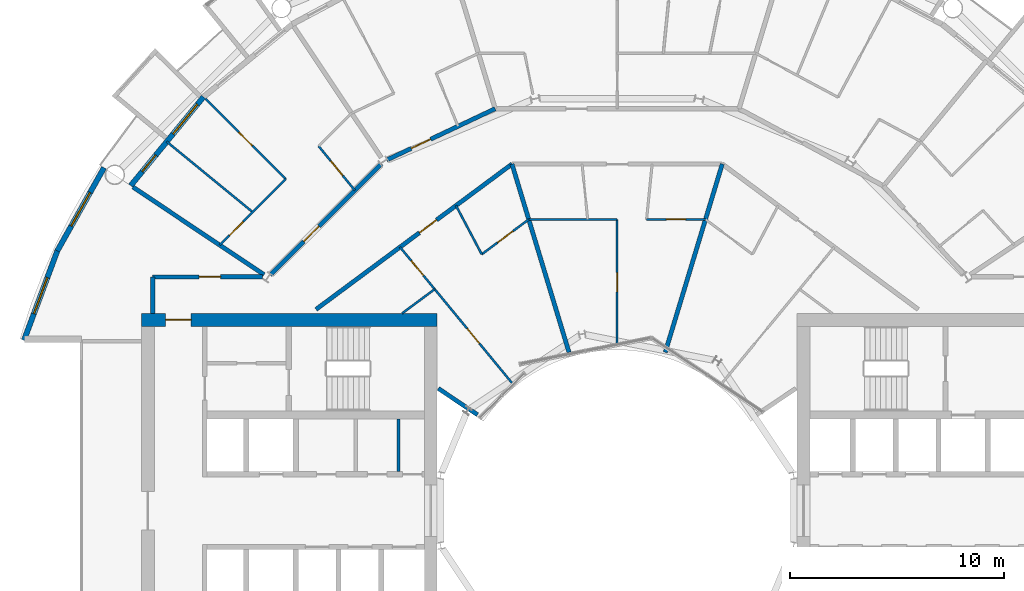
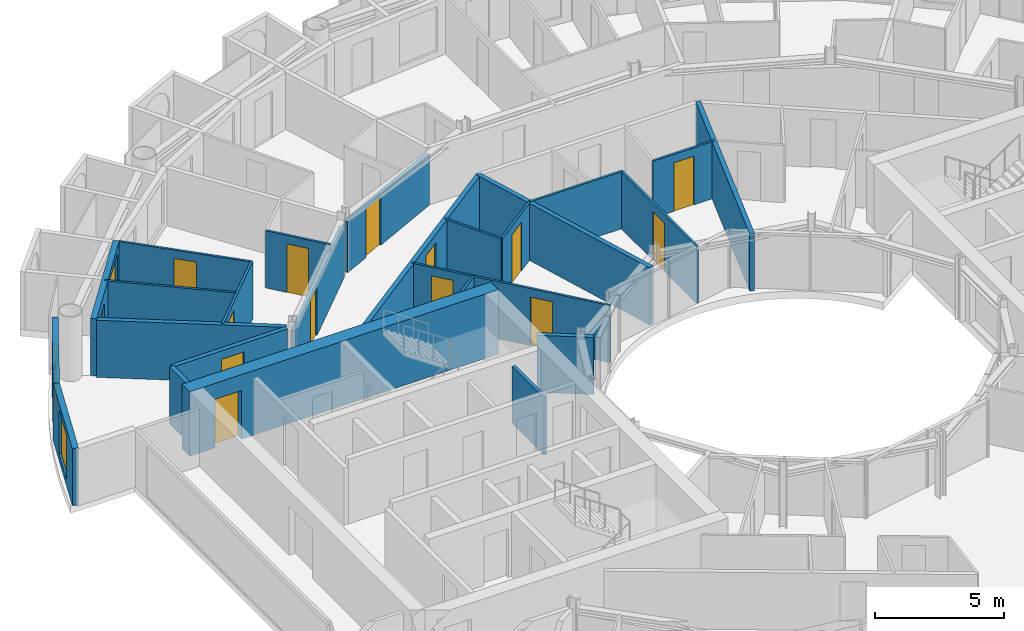
# One storey, part 19 of 27: 25 walls, 14 doors, 3 windows, 17 openings.
"""IFC4 building model written with IfcOpenShell, lengths in metres."""

from ifc_helpers import new_model, si_unit, direction, frame, frame_2d, origin, place, context, subcontext, project, spatial, rectangle, extrude, material, layer, layer_set, type_object, element, fill, save


model = new_model("IFC4")

# Units and contexts
model_context = context("Model", 3, precision=1e-05, world=origin(), true_north=direction((0.0, 1.0)))
body_context = subcontext(model_context, "Body", "Model", "MODEL_VIEW")
ifc_project = project(units=[si_unit("LENGTHUNIT", "METRE"), si_unit("AREAUNIT", "SQUARE_METRE"), si_unit("VOLUMEUNIT", "CUBIC_METRE"), si_unit("PLANEANGLEUNIT", "RADIAN"), si_unit("MASSUNIT", "GRAM", prefix="KILO")], contexts=[model_context])

# Site, building, storey
site_placement = place(None, origin())
site = spatial("IfcSite", under=ifc_project, at=site_placement, CompositionType="ELEMENT")
building_placement = place(site_placement, origin())
building = spatial("IfcBuilding", under=site, at=building_placement, Name="Maasbend Ring Residences", CompositionType="ELEMENT")
storey_placement = place(building_placement, frame((0.0, 0.0, 117.75)))
storey = spatial("IfcBuildingStorey", under=building, at=storey_placement, Name="L33", CompositionType="ELEMENT", Elevation=117.75)

# Wall, opening, door
ifc_material_1 = material(Name="Concrete C60/75", Category="concrete")
ifc_layer_1 = layer(ifc_material_1, 0.60009765625)
ifc_layer_set_1 = layer_set([ifc_layer_1], Name="Concrete C60/75")
wall_type_1 = type_object("IfcWallType", Name="CORE WALL 600 C60/75", PredefinedType="SHEAR", material=ifc_layer_set_1)
wall_1_placement = place(storey_placement, frame((-8.39990234375, 8.89990234375, 0.0), z_axis=(0.0, 0.0, 1.0), x_axis=(-1.0, 0.0, 0.0)))
wall_1 = element("IfcWall", 1, at=wall_1_placement, inside=storey, type_object=wall_type_1, Name="L33 core W wall PS", PredefinedType="SHEAR", context=body_context, shape_type="SweptSolid", body=[
    extrude(rectangle(XDim=13.800048828125, YDim=0.60009765625, at=frame_2d((6.89990234375, 0.0))), origin(), (0.0, 0.0, 1.0), 3.050048828125),
])
opening_1_placement = place(wall_1_placement, frame((11.47509765625, 0.0, 0.0)))
opening_1 = element("IfcOpeningElement", 2, at=opening_1_placement, cuts=wall_1, Name="Opening D-W3315", PredefinedType="OPENING", context=body_context, shape_type="SweptSolid", body=[
    extrude(rectangle(XDim=1.199951171875, YDim=2.300048828125, at=frame_2d((0.60009765625, 1.14990234375))), frame((0.0, 0.31005859375, 0.0), z_axis=(0.0, -1.0, 0.0), x_axis=(1.0, 0.0, 0.0)), (0.0, 0.0, 1.0), 0.6201171875),
])
ifc_material_2 = material(Name="Steel, powder coated", Category="steel")
door_type_1 = type_object("IfcDoorType", Name="CORRIDOR DOOR 1200 X 2300 FD30S", OperationType="NOTDEFINED", PredefinedType="DOOR", material=ifc_material_2)
door_1_placement = place(opening_1_placement, origin())
door_1 = element("IfcDoor", 3, at=door_1_placement, inside=storey, type_object=door_type_1, Name="Corridor door L33", OperationType="SINGLE_SWING_LEFT", OverallHeight=2.300048828125, OverallWidth=1.199951171875, PredefinedType="DOOR", context=body_context, shape_type="SweptSolid", body=[
    extrude(rectangle(XDim=1.199951171875, YDim=2.300048828125, at=frame_2d((0.60009765625, 1.14990234375))), frame((0.0, 0.02490234375, 0.0), z_axis=(0.0, -1.0, 0.0), x_axis=(1.0, 0.0, 0.0)), (0.0, 0.0, 1.0), 0.050048828125),
])
fill(opening_1, door_1)

ifc_material_3 = material(Name="Concrete C30/37", Category="concrete")
ifc_layer_2 = layer(ifc_material_3, 0.199951171875)
ifc_layer_set_2 = layer_set([ifc_layer_2], Name="Concrete C30/37")
wall_type_2 = type_object("IfcWallType", Name="CORRIDOR WALL 200 CONCRETE", PredefinedType="PARTITIONING", material=ifc_layer_set_2)
wall_2_placement = place(storey_placement, frame((-21.675048828125, 10.89990234375, 0.0), z_axis=(0.0, 0.0, 1.0), x_axis=(0.999997173357, 0.002377662213, 0.0)))
wall_2 = element("IfcWall", 4, at=wall_2_placement, inside=storey, type_object=wall_type_2, Name="U-L33-w085", PredefinedType="PARTITIONING", context=body_context, shape_type="SweptSolid", body=[
    extrude(rectangle(XDim=5.134033203125, YDim=0.199951171875, at=frame_2d((2.56689453125, 0.0))), origin(), (0.0, 0.0, 1.0), 2.699951171875),
])
opening_2_placement = place(wall_2_placement, frame((2.1708984375, 0.0, 0.0)))
opening_2 = element("IfcOpeningElement", 5, at=opening_2_placement, cuts=wall_2, Name="Opening D-3363", PredefinedType="OPENING", context=body_context, shape_type="SweptSolid", body=[
    extrude(rectangle(XDim=1.0, YDim=2.300048828125, at=frame_2d((0.5, 1.14990234375))), frame((0.0, 0.10986328125, 0.0), z_axis=(0.0, -1.0, 0.0), x_axis=(1.0, 0.0, 0.0)), (0.0, 0.0, 1.0), 0.219970703125),
])
ifc_material_4 = material(Name="Timber, painted", Category="wood")
door_type_2 = type_object("IfcDoorType", Name="ROOM DOOR 1000 X 2300", OperationType="NOTDEFINED", PredefinedType="DOOR", material=ifc_material_4)
door_2_placement = place(opening_2_placement, origin())
door_2 = element("IfcDoor", 6, at=door_2_placement, inside=storey, type_object=door_type_2, Name="D-3363", OperationType="SINGLE_SWING_RIGHT", OverallHeight=2.300048828125, OverallWidth=1.0, PredefinedType="DOOR", context=body_context, shape_type="SweptSolid", body=[
    extrude(rectangle(XDim=1.0, YDim=2.300048828125, at=frame_2d((0.5, 1.14990234375))), frame((0.0, 0.02490234375, 0.0), z_axis=(0.0, -1.0, 0.0), x_axis=(1.0, 0.0, 0.0)), (0.0, 0.0, 1.0), 0.050048828125),
])
fill(opening_2, door_2)

wall_3_placement = place(storey_placement, frame((-14.052001953125, 9.388916015625, 0.0), z_axis=(0.0, 0.0, 1.0), x_axis=(0.803204584823, 0.59570327758, 0.0)))
wall_3 = element("IfcWall", 7, at=wall_3_placement, inside=storey, type_object=wall_type_2, Name="U-L33-w093", PredefinedType="PARTITIONING", context=body_context, shape_type="SweptSolid", body=[
    extrude(rectangle(XDim=11.386962890625, YDim=0.199951171875, at=frame_2d((5.693359375, 0.0))), origin(), (0.0, 0.0, 1.0), 2.699951171875),
])
opening_3_placement = place(wall_3_placement, frame((6.007080078125, 0.0, 0.0)))
opening_3 = element("IfcOpeningElement", 8, at=opening_3_placement, cuts=wall_3, Name="Opening D-3329", PredefinedType="OPENING", context=body_context, shape_type="SweptSolid", body=[
    extrude(rectangle(XDim=1.0, YDim=2.300048828125, at=frame_2d((0.5, 1.14990234375))), frame((0.0, 0.10986328125, 0.0), z_axis=(0.0, -1.0, 0.0), x_axis=(1.0, 0.0, 0.0)), (0.0, 0.0, 1.0), 0.219970703125),
])
ifc_material_5 = material(Name="Timber, fire-rated, painted", Category="wood")
door_type_3 = type_object("IfcDoorType", Name="FLAT ENTRANCE DOOR 1000 X 2300 FIRE-RATED", OperationType="NOTDEFINED", PredefinedType="DOOR", material=ifc_material_5)
door_3_placement = place(opening_3_placement, origin())
door_3 = element("IfcDoor", 9, at=door_3_placement, inside=storey, type_object=door_type_3, Name="D-3329", OperationType="SINGLE_SWING_RIGHT", OverallHeight=2.300048828125, OverallWidth=1.0, PredefinedType="DOOR", context=body_context, shape_type="SweptSolid", body=[
    extrude(rectangle(XDim=1.0, YDim=2.300048828125, at=frame_2d((0.5, 1.14990234375))), frame((0.0, 0.02490234375, 0.0), z_axis=(0.0, -1.0, 0.0), x_axis=(1.0, 0.0, 0.0)), (0.0, 0.0, 1.0), 0.050048828125),
])
fill(opening_3, door_3)

wall_4_placement = place(storey_placement, frame((-16.18603515625, 11.0, 0.0), z_axis=(0.0, 0.0, 1.0), x_axis=(0.707106781187, 0.707106781187, 0.0)))
wall_4 = element("IfcWall", 10, at=wall_4_placement, inside=storey, type_object=wall_type_2, Name="U-L33-w097", PredefinedType="PARTITIONING", context=body_context, shape_type="SweptSolid", body=[
    extrude(rectangle(XDim=7.334228515625, YDim=0.199951171875, at=frame_2d((3.6669921875, 0.0))), origin(), (0.0, 0.0, 1.0), 2.389892578125),
])
opening_4_placement = place(wall_4_placement, frame((2.2109375, 0.0, 0.0)))
opening_4 = element("IfcOpeningElement", 11, at=opening_4_placement, cuts=wall_4, Name="Opening D-3317", PredefinedType="OPENING", context=body_context, shape_type="SweptSolid", body=[
    extrude(rectangle(XDim=1.0, YDim=2.300048828125, at=frame_2d((0.5, 1.14990234375))), frame((0.0, 0.10986328125, 0.0), z_axis=(0.0, -1.0, 0.0), x_axis=(1.0, 0.0, 0.0)), (0.0, 0.0, 1.0), 0.219970703125),
])
door_4_placement = place(opening_4_placement, origin())
door_4 = element("IfcDoor", 12, at=door_4_placement, inside=storey, type_object=door_type_3, Name="D-3317", OperationType="SINGLE_SWING_LEFT", OverallHeight=2.300048828125, OverallWidth=1.0, PredefinedType="DOOR", context=body_context, shape_type="SweptSolid", body=[
    extrude(rectangle(XDim=1.0, YDim=2.300048828125, at=frame_2d((0.5, 1.14990234375))), frame((0.0, 0.02490234375, 0.0), z_axis=(0.0, -1.0, 0.0), x_axis=(1.0, 0.0, 0.0)), (0.0, 0.0, 1.0), 0.050048828125),
])
fill(opening_4, door_4)

wall_5_placement = place(storey_placement, frame((-10.748046875, 16.362060546875, 0.0), z_axis=(0.0, 0.0, 1.0), x_axis=(0.903869270233, 0.427808768409, 0.0)))
wall_5 = element("IfcWall", 13, at=wall_5_placement, inside=storey, type_object=wall_type_2, Name="U-L33-w099", PredefinedType="PARTITIONING", context=body_context, shape_type="SweptSolid", body=[
    extrude(rectangle(XDim=5.595947265625, YDim=0.199951171875, at=frame_2d((2.7978515625, 0.0))), origin(), (0.0, 0.0, 1.0), 2.389892578125),
])
opening_5_placement = place(wall_5_placement, frame((1.261962890625, 0.0, 0.0)))
opening_5 = element("IfcOpeningElement", 14, at=opening_5_placement, cuts=wall_5, Name="Opening D-3314", PredefinedType="OPENING", context=body_context, shape_type="SweptSolid", body=[
    extrude(rectangle(XDim=1.0, YDim=2.300048828125, at=frame_2d((0.5, 1.14990234375))), frame((0.0, 0.10986328125, 0.0), z_axis=(0.0, -1.0, 0.0), x_axis=(1.0, 0.0, 0.0)), (0.0, 0.0, 1.0), 0.219970703125),
])
door_5_placement = place(opening_5_placement, origin())
door_5 = element("IfcDoor", 15, at=door_5_placement, inside=storey, type_object=door_type_3, Name="D-3314", OperationType="SINGLE_SWING_LEFT", OverallHeight=2.300048828125, OverallWidth=1.0, PredefinedType="DOOR", context=body_context, shape_type="SweptSolid", body=[
    extrude(rectangle(XDim=1.0, YDim=2.300048828125, at=frame_2d((0.5, 1.14990234375))), frame((0.0, 0.02490234375, 0.0), z_axis=(0.0, -1.0, 0.0), x_axis=(1.0, 0.0, 0.0)), (0.0, 0.0, 1.0), 0.050048828125),
])
fill(opening_5, door_5)

# Wall
wall_6_placement = place(storey_placement, frame((-21.675048828125, 9.199951171875, 0.0), z_axis=(0.0, 0.0, 1.0), x_axis=(0.0, 1.0, 0.0)))
element("IfcWall", 16, at=wall_6_placement, inside=storey, type_object=wall_type_2, Name="U-L33-w104", PredefinedType="PARTITIONING", context=body_context, shape_type="SweptSolid", body=[
    extrude(rectangle(XDim=1.699951171875, YDim=0.199951171875, at=frame_2d((0.85009765625, 0.0))), origin(), (0.0, 0.0, 1.0), 2.699951171875),
])

# Wall, openings, door, window
ifc_material_6 = material(Name="Aluminium clad insulated panel", Category="aluminium")
ifc_layer_3 = layer(ifc_material_6, 0.25)
ifc_layer_set_3 = layer_set([ifc_layer_3], Name="EW-GL")
wall_type_3 = type_object("IfcWallType", Name="EW-GL", PredefinedType="SOLIDWALL", material=ifc_layer_set_3)
wall_7_placement = place(storey_placement, frame((-19.303955078125, 19.303955078125, 0.0), z_axis=(0.0, 0.0, 1.0), x_axis=(-0.634382322723, -0.773019449054, 0.0)))
wall_7 = element("IfcWall", 17, at=wall_7_placement, inside=storey, type_object=wall_type_3, Name="External wall N10", PredefinedType="SOLIDWALL", context=body_context, shape_type="SweptSolid", body=[
    extrude(rectangle(XDim=5.351806640625, YDim=0.25, at=frame_2d((2.67578125, 0.0))), origin(), (0.0, 0.0, 1.0), 2.699951171875),
])
opening_6_placement = place(wall_7_placement, frame((0.441162109375, 0.0, 0.300048828125)))
opening_6 = element("IfcOpeningElement", 18, at=opening_6_placement, cuts=wall_7, Name="Opening W-BX", PredefinedType="OPENING", context=body_context, shape_type="SweptSolid", body=[
    extrude(rectangle(XDim=1.800048828125, YDim=2.10009765625, at=frame_2d((0.89990234375, 1.050048828125))), frame((0.0, 0.135009765625, 0.0), z_axis=(0.0, -1.0, 0.0), x_axis=(1.0, 0.0, 0.0)), (0.0, 0.0, 1.0), 0.27001953125),
])
opening_7_placement = place(wall_7_placement, frame((3.510498046875, 0.0, 0.0)))
opening_7 = element("IfcOpeningElement", 19, at=opening_7_placement, cuts=wall_7, Name="Opening D-LG", PredefinedType="OPENING", context=body_context, shape_type="SweptSolid", body=[
    extrude(rectangle(XDim=1.0, YDim=2.199951171875, at=frame_2d((0.5, 1.10009765625))), frame((0.0, 0.135009765625, 0.0), z_axis=(0.0, -1.0, 0.0), x_axis=(1.0, 0.0, 0.0)), (0.0, 0.0, 1.0), 0.27001953125),
])
ifc_material_7 = material(Name="Aluminium and clear glass", Category="aluminium")
door_type_4 = type_object("IfcDoorType", Name="D-LG", OperationType="SINGLE_SWING_LEFT", PredefinedType="DOOR", material=ifc_material_7)
door_6_placement = place(opening_7_placement, origin())
door_6 = element("IfcDoor", 20, at=door_6_placement, inside=storey, type_object=door_type_4, Name="Loggia door N20", OperationType="SINGLE_SWING_LEFT", OverallHeight=2.199951171875, OverallWidth=1.0, PredefinedType="DOOR", context=body_context, shape_type="SweptSolid", body=[
    extrude(rectangle(XDim=1.0, YDim=2.199951171875, at=frame_2d((0.5, 1.10009765625))), frame((0.0, 0.02490234375, 0.0), z_axis=(0.0, -1.0, 0.0), x_axis=(1.0, 0.0, 0.0)), (0.0, 0.0, 1.0), 0.050048828125),
])
fill(opening_7, door_6)
ifc_material_8 = material(Name="Aluminium and clear glass", Category="aluminium")
window_type = type_object("IfcWindowType", Name="W-BX", PartitioningType="DOUBLE_PANEL_VERTICAL", PredefinedType="WINDOW", material=ifc_material_8)
window_1_placement = place(opening_6_placement, origin())
window_1 = element("IfcWindow", 21, at=window_1_placement, inside=storey, type_object=window_type, Name="Window N19 room to box", OverallHeight=2.10009765625, OverallWidth=1.800048828125, PartitioningType="SINGLE_PANEL", PredefinedType="WINDOW", context=body_context, shape_type="SweptSolid", body=[
    extrude(rectangle(XDim=1.800048828125, YDim=2.10009765625, at=frame_2d((0.89990234375, 1.050048828125))), frame((0.0, 0.030029296875, 0.0), z_axis=(0.0, -1.0, 0.0), x_axis=(1.0, 0.0, 0.0)), (0.0, 0.0, 1.0), 0.06005859375),
])
fill(opening_6, window_1)

# Wall, opening, window
ifc_material_9 = material(Name="Aluminium clad insulated panel", Category="aluminium")
ifc_layer_4 = layer(ifc_material_9, 0.25)
ifc_layer_set_4 = layer_set([ifc_layer_4], Name="EW-HORN")
wall_type_4 = type_object("IfcWallType", Name="EW-HORN", PredefinedType="SOLIDWALL", material=ifc_layer_set_4)
wall_8_placement = place(storey_placement, frame((-23.946044921875, 16.0, 0.0), z_axis=(0.0, 0.0, 1.0), x_axis=(-0.489696356642, -0.871893042919, 0.0)))
wall_8 = element("IfcWall", 22, at=wall_8_placement, inside=storey, type_object=wall_type_4, Name="Horn wall 4.1", PredefinedType="SOLIDWALL", context=body_context, shape_type="SweptSolid", body=[
    extrude(rectangle(XDim=4.45361328125, YDim=0.25, at=frame_2d((2.226806640625, 0.0))), origin(), (0.0, 0.0, 1.0), 2.699951171875),
])
opening_8_placement = place(wall_8_placement, frame((1.32666015625, 0.0, 0.300048828125)))
opening_8 = element("IfcOpeningElement", 23, at=opening_8_placement, cuts=wall_8, Name="Opening W-BX", PredefinedType="OPENING", context=body_context, shape_type="SweptSolid", body=[
    extrude(rectangle(XDim=1.800048828125, YDim=2.10009765625, at=frame_2d((0.89990234375, 1.050048828125))), frame((0.0, 0.135009765625, 0.0), z_axis=(0.0, -1.0, 0.0), x_axis=(1.0, 0.0, 0.0)), (0.0, 0.0, 1.0), 0.27001953125),
])
window_2_placement = place(opening_8_placement, origin())
window_2 = element("IfcWindow", 24, at=window_2_placement, inside=storey, type_object=window_type, Name="Horn window 4.1", OverallHeight=2.10009765625, OverallWidth=1.800048828125, PartitioningType="SINGLE_PANEL", PredefinedType="WINDOW", context=body_context, shape_type="SweptSolid", body=[
    extrude(rectangle(XDim=1.800048828125, YDim=2.10009765625, at=frame_2d((0.89990234375, 1.050048828125))), frame((0.0, 0.030029296875, 0.0), z_axis=(0.0, -1.0, 0.0), x_axis=(1.0, 0.0, 0.0)), (0.0, 0.0, 1.0), 0.06005859375),
])
fill(opening_8, window_2)

wall_9_placement = place(storey_placement, frame((-26.126953125, 12.116943359375, 0.0), z_axis=(0.0, 0.0, 1.0), x_axis=(-0.349247811493, -0.937030397675, 0.0)))
wall_9 = element("IfcWall", 25, at=wall_9_placement, inside=storey, type_object=wall_type_4, Name="Horn wall 4.2", PredefinedType="SOLIDWALL", context=body_context, shape_type="SweptSolid", body=[
    extrude(rectangle(XDim=4.4521484375, YDim=0.25, at=frame_2d((2.22607421875, 0.0))), origin(), (0.0, 0.0, 1.0), 2.699951171875),
])
opening_9_placement = place(wall_9_placement, frame((1.32666015625, 0.0, 0.300048828125)))
opening_9 = element("IfcOpeningElement", 26, at=opening_9_placement, cuts=wall_9, Name="Opening W-BX", PredefinedType="OPENING", context=body_context, shape_type="SweptSolid", body=[
    extrude(rectangle(XDim=1.800048828125, YDim=2.10009765625, at=frame_2d((0.89990234375, 1.050048828125))), frame((0.0, 0.135009765625, 0.0), z_axis=(0.0, -1.0, 0.0), x_axis=(1.0, 0.0, 0.0)), (0.0, 0.0, 1.0), 0.27001953125),
])
window_3_placement = place(opening_9_placement, origin())
window_3 = element("IfcWindow", 27, at=window_3_placement, inside=storey, type_object=window_type, Name="Horn window 4.2", OverallHeight=2.10009765625, OverallWidth=1.800048828125, PartitioningType="SINGLE_PANEL", PredefinedType="WINDOW", context=body_context, shape_type="SweptSolid", body=[
    extrude(rectangle(XDim=1.800048828125, YDim=2.10009765625, at=frame_2d((0.89990234375, 1.050048828125))), frame((0.0, 0.030029296875, 0.0), z_axis=(0.0, -1.0, 0.0), x_axis=(1.0, 0.0, 0.0)), (0.0, 0.0, 1.0), 0.06005859375),
])
fill(opening_9, window_3)

# Wall
ifc_material_10 = material(Name="Gypsum board on steel studs", Category="steel")
ifc_layer_5 = layer(ifc_material_10, 0.10009765625)
ifc_layer_set_5 = layer_set([ifc_layer_5], Name="PARTITION 100 GYPSUM")
wall_type_5 = type_object("IfcWallType", Name="PARTITION 100 GYPSUM", PredefinedType="PARTITIONING", material=ifc_layer_set_5)
wall_10_placement = place(storey_placement, frame((-21.02294921875, 17.219970703125, 0.0), z_axis=(0.0, 0.0, 1.0), x_axis=(0.773517471898, -0.633774976367, 0.0)))
element("IfcWall", 28, at=wall_10_placement, inside=storey, type_object=wall_type_5, Name="U-L33-w034", PredefinedType="PARTITIONING", context=body_context, shape_type="SweptSolid", body=[
    extrude(rectangle(XDim=5.19580078125, YDim=0.10009765625, at=frame_2d((2.597900390625, 0.0))), origin(), (0.0, 0.0, 1.0), 2.699951171875),
])

# Wall, opening, door
wall_11_placement = place(storey_placement, frame((-19.216064453125, 19.216064453125, 0.0), z_axis=(0.0, 0.0, 1.0), x_axis=(0.707106781187, -0.707106781187, 0.0)))
wall_11 = element("IfcWall", 29, at=wall_11_placement, inside=storey, type_object=wall_type_5, Name="U-L33-w035", PredefinedType="PARTITIONING", context=body_context, shape_type="SweptSolid", body=[
    extrude(rectangle(XDim=5.3046875, YDim=0.10009765625, at=frame_2d((2.65234375, 0.0))), origin(), (0.0, 0.0, 1.0), 2.699951171875),
])
opening_10_placement = place(wall_11_placement, frame((2.201904296875, 0.0, 0.0)))
opening_10 = element("IfcOpeningElement", 30, at=opening_10_placement, cuts=wall_11, Name="Opening D-3319", PredefinedType="OPENING", context=body_context, shape_type="SweptSolid", body=[
    extrude(rectangle(XDim=0.89990234375, YDim=2.300048828125, at=frame_2d((0.449951171875, 1.14990234375))), frame((0.0, 0.06005859375, 0.0), z_axis=(0.0, -1.0, 0.0), x_axis=(1.0, 0.0, 0.0)), (0.0, 0.0, 1.0), 0.1201171875),
])
ifc_material_11 = material(Name="Timber, painted", Category="wood")
door_type_5 = type_object("IfcDoorType", Name="INTERNAL DOOR 900 X 2300", OperationType="NOTDEFINED", PredefinedType="DOOR", material=ifc_material_11)
door_7_placement = place(opening_10_placement, origin())
door_7 = element("IfcDoor", 31, at=door_7_placement, inside=storey, type_object=door_type_5, Name="D-3319", OperationType="SINGLE_SWING_LEFT", OverallHeight=2.300048828125, OverallWidth=0.89990234375, PredefinedType="DOOR", context=body_context, shape_type="SweptSolid", body=[
    extrude(rectangle(XDim=0.89990234375, YDim=2.300048828125, at=frame_2d((0.449951171875, 1.14990234375))), frame((0.0, 0.02490234375, 0.0), z_axis=(0.0, -1.0, 0.0), x_axis=(1.0, 0.0, 0.0)), (0.0, 0.0, 1.0), 0.050048828125),
])
fill(opening_10, door_7)

wall_12_placement = place(storey_placement, frame((-13.927001953125, 17.00390625, 0.0), z_axis=(0.0, 0.0, 1.0), x_axis=(0.633582447834, -0.77367517848, 0.0)))
wall_12 = element("IfcWall", 32, at=wall_12_placement, inside=storey, type_object=wall_type_5, Name="U-L33-w040", PredefinedType="PARTITIONING", context=body_context, shape_type="SweptSolid", body=[
    extrude(rectangle(XDim=2.6611328125, YDim=0.10009765625, at=frame_2d((1.33056640625, 0.0))), origin(), (0.0, 0.0, 1.0), 2.699951171875),
])
opening_11_placement = place(wall_12_placement, frame((0.881103515625, 0.0, 0.0)))
opening_11 = element("IfcOpeningElement", 33, at=opening_11_placement, cuts=wall_12, Name="Opening D-3318", PredefinedType="OPENING", context=body_context, shape_type="SweptSolid", body=[
    extrude(rectangle(XDim=0.89990234375, YDim=2.300048828125, at=frame_2d((0.449951171875, 1.14990234375))), frame((0.0, 0.06005859375, 0.0), z_axis=(0.0, -1.0, 0.0), x_axis=(1.0, 0.0, 0.0)), (0.0, 0.0, 1.0), 0.1201171875),
])
door_8_placement = place(opening_11_placement, origin())
door_8 = element("IfcDoor", 34, at=door_8_placement, inside=storey, type_object=door_type_5, Name="D-3318", OperationType="SINGLE_SWING_RIGHT", OverallHeight=2.300048828125, OverallWidth=0.89990234375, PredefinedType="DOOR", context=body_context, shape_type="SweptSolid", body=[
    extrude(rectangle(XDim=0.89990234375, YDim=2.300048828125, at=frame_2d((0.449951171875, 1.14990234375))), frame((0.0, 0.02490234375, 0.0), z_axis=(0.0, -1.0, 0.0), x_axis=(1.0, 0.0, 0.0)), (0.0, 0.0, 1.0), 0.050048828125),
])
fill(opening_11, door_8)

# Wall, openings, doors
wall_13_placement = place(storey_placement, frame((-10.132080078125, 12.2958984375, 0.0), z_axis=(0.0, 0.0, 1.0), x_axis=(0.635976043025, -0.771708800454, 0.0)))
wall_13 = element("IfcWall", 35, at=wall_13_placement, inside=storey, type_object=wall_type_5, Name="U-L33-w044", PredefinedType="PARTITIONING", context=body_context, shape_type="SweptSolid", body=[
    extrude(rectangle(XDim=8.212890625, YDim=0.10009765625, at=frame_2d((4.1064453125, 0.0))), origin(), (0.0, 0.0, 1.0), 2.699951171875),
])
opening_12_placement = place(wall_13_placement, frame((0.822998046875, 0.0, 0.0)))
opening_12 = element("IfcOpeningElement", 36, at=opening_12_placement, cuts=wall_13, Name="Opening D-3331", PredefinedType="OPENING", context=body_context, shape_type="SweptSolid", body=[
    extrude(rectangle(XDim=0.89990234375, YDim=2.300048828125, at=frame_2d((0.449951171875, 1.14990234375))), frame((0.0, 0.06005859375, 0.0), z_axis=(0.0, -1.0, 0.0), x_axis=(1.0, 0.0, 0.0)), (0.0, 0.0, 1.0), 0.1201171875),
])
opening_13_placement = place(wall_13_placement, frame((4.928955078125, 0.0, 0.0)))
opening_13 = element("IfcOpeningElement", 37, at=opening_13_placement, cuts=wall_13, Name="Opening D-3332", PredefinedType="OPENING", context=body_context, shape_type="SweptSolid", body=[
    extrude(rectangle(XDim=0.89990234375, YDim=2.300048828125, at=frame_2d((0.449951171875, 1.14990234375))), frame((0.0, 0.06005859375, 0.0), z_axis=(0.0, -1.0, 0.0), x_axis=(1.0, 0.0, 0.0)), (0.0, 0.0, 1.0), 0.1201171875),
])
door_9_placement = place(opening_12_placement, origin())
door_9 = element("IfcDoor", 38, at=door_9_placement, inside=storey, type_object=door_type_5, Name="D-3331", OperationType="SINGLE_SWING_LEFT", OverallHeight=2.300048828125, OverallWidth=0.89990234375, PredefinedType="DOOR", context=body_context, shape_type="SweptSolid", body=[
    extrude(rectangle(XDim=0.89990234375, YDim=2.300048828125, at=frame_2d((0.449951171875, 1.14990234375))), frame((0.0, 0.02490234375, 0.0), z_axis=(0.0, -1.0, 0.0), x_axis=(1.0, 0.0, 0.0)), (0.0, 0.0, 1.0), 0.050048828125),
])
fill(opening_12, door_9)
door_10_placement = place(opening_13_placement, origin())
door_10 = element("IfcDoor", 39, at=door_10_placement, inside=storey, type_object=door_type_5, Name="D-3332", OperationType="SINGLE_SWING_RIGHT", OverallHeight=2.300048828125, OverallWidth=0.89990234375, PredefinedType="DOOR", context=body_context, shape_type="SweptSolid", body=[
    extrude(rectangle(XDim=0.89990234375, YDim=2.300048828125, at=frame_2d((0.449951171875, 1.14990234375))), frame((0.0, 0.02490234375, 0.0), z_axis=(0.0, -1.0, 0.0), x_axis=(1.0, 0.0, 0.0)), (0.0, 0.0, 1.0), 0.050048828125),
])
fill(opening_13, door_10)

# Wall
wall_14_placement = place(storey_placement, frame((-7.51904296875, 14.23388671875, 0.0), z_axis=(0.0, 0.0, 1.0), x_axis=(0.467001992543, -0.884256263173, 0.0)))
element("IfcWall", 40, at=wall_14_placement, inside=storey, type_object=wall_type_5, Name="U-L33-w048", PredefinedType="PARTITIONING", context=body_context, shape_type="SweptSolid", body=[
    extrude(rectangle(XDim=2.571533203125, YDim=0.10009765625, at=frame_2d((1.28564453125, 0.0))), origin(), (0.0, 0.0, 1.0), 2.699951171875),
])

# Wall, opening, door
wall_15_placement = place(storey_placement, frame((0.0, 7.719970703125, 0.0), z_axis=(0.0, 0.0, 1.0), x_axis=(0.0, 1.0, 0.0)))
wall_15 = element("IfcWall", 41, at=wall_15_placement, inside=storey, type_object=wall_type_5, Name="U-L33-w057", PredefinedType="PARTITIONING", context=body_context, shape_type="SweptSolid", body=[
    extrude(rectangle(XDim=5.869140625, YDim=0.10009765625, at=frame_2d((2.9345703125, 0.0))), origin(), (0.0, 0.0, 1.0), 2.699951171875),
])
opening_14_placement = place(wall_15_placement, frame((2.485107421875, 0.0, 0.0)))
opening_14 = element("IfcOpeningElement", 42, at=opening_14_placement, cuts=wall_15, Name="Opening D-3328", PredefinedType="OPENING", context=body_context, shape_type="SweptSolid", body=[
    extrude(rectangle(XDim=0.89990234375, YDim=2.300048828125, at=frame_2d((0.449951171875, 1.14990234375))), frame((0.0, 0.06005859375, 0.0), z_axis=(0.0, -1.0, 0.0), x_axis=(1.0, 0.0, 0.0)), (0.0, 0.0, 1.0), 0.1201171875),
])
door_11_placement = place(opening_14_placement, origin())
door_11 = element("IfcDoor", 43, at=door_11_placement, inside=storey, type_object=door_type_5, Name="D-3328", OperationType="SINGLE_SWING_RIGHT", OverallHeight=2.300048828125, OverallWidth=0.89990234375, PredefinedType="DOOR", context=body_context, shape_type="SweptSolid", body=[
    extrude(rectangle(XDim=0.89990234375, YDim=2.300048828125, at=frame_2d((0.449951171875, 1.14990234375))), frame((0.0, 0.02490234375, 0.0), z_axis=(0.0, -1.0, 0.0), x_axis=(1.0, 0.0, 0.0)), (0.0, 0.0, 1.0), 0.050048828125),
])
fill(opening_14, door_11)

# Wall
wall_16_placement = place(storey_placement, frame((-10.0390625, 9.199951171875, 0.0), z_axis=(0.0, 0.0, 1.0), x_axis=(0.803149591038, 0.595777420196, 0.0)))
element("IfcWall", 44, at=wall_16_placement, inside=storey, type_object=wall_type_5, Name="U-L33-w087", PredefinedType="PARTITIONING", context=body_context, shape_type="SweptSolid", body=[
    extrude(rectangle(XDim=1.900146484375, YDim=0.10009765625, at=frame_2d((0.9501953125, 0.0))), origin(), (0.0, 0.0, 1.0), 2.699951171875),
])

# Wall, opening, door
wall_17_placement = place(storey_placement, frame((-6.318115234375, 11.9599609375, 0.0), z_axis=(0.0, 0.0, 1.0), x_axis=(0.803128348509, 0.595806055542, 0.0)))
wall_17 = element("IfcWall", 45, at=wall_17_placement, inside=storey, type_object=wall_type_5, Name="U-L33-w088", PredefinedType="PARTITIONING", context=body_context, shape_type="SweptSolid", body=[
    extrude(rectangle(XDim=2.734375, YDim=0.10009765625, at=frame_2d((1.3671875, 0.0))), origin(), (0.0, 0.0, 1.0), 2.699951171875),
])
opening_15_placement = place(wall_17_placement, frame((0.9169921875, 0.0, 0.0)))
opening_15 = element("IfcOpeningElement", 46, at=opening_15_placement, cuts=wall_17, Name="Opening D-3330", PredefinedType="OPENING", context=body_context, shape_type="SweptSolid", body=[
    extrude(rectangle(XDim=0.89990234375, YDim=2.300048828125, at=frame_2d((0.449951171875, 1.14990234375))), frame((0.0, 0.06005859375, 0.0), z_axis=(0.0, -1.0, 0.0), x_axis=(1.0, 0.0, 0.0)), (0.0, 0.0, 1.0), 0.1201171875),
])
door_12_placement = place(opening_15_placement, origin())
door_12 = element("IfcDoor", 47, at=door_12_placement, inside=storey, type_object=door_type_5, Name="D-3330", OperationType="SINGLE_SWING_RIGHT", OverallHeight=2.300048828125, OverallWidth=0.89990234375, PredefinedType="DOOR", context=body_context, shape_type="SweptSolid", body=[
    extrude(rectangle(XDim=0.89990234375, YDim=2.300048828125, at=frame_2d((0.449951171875, 1.14990234375))), frame((0.0, 0.02490234375, 0.0), z_axis=(0.0, -1.0, 0.0), x_axis=(1.0, 0.0, 0.0)), (0.0, 0.0, 1.0), 0.050048828125),
])
fill(opening_15, door_12)

# Wall
wall_18_placement = place(storey_placement, frame((-4.1220703125, 13.589111328125, 0.0), z_axis=(0.0, 0.0, 1.0), x_axis=(1.0, 0.0, 0.0)))
element("IfcWall", 48, at=wall_18_placement, inside=storey, type_object=wall_type_5, Name="U-L33-w091", PredefinedType="PARTITIONING", context=body_context, shape_type="SweptSolid", body=[
    extrude(rectangle(XDim=4.1220703125, YDim=0.10009765625, at=frame_2d((2.06103515625, 0.0))), origin(), (0.0, 0.0, 1.0), 2.699951171875),
])

# Wall, opening, door
wall_19_placement = place(storey_placement, frame((1.3740234375, 13.589111328125, 0.0), z_axis=(0.0, 0.0, 1.0), x_axis=(1.0, 0.0, 0.0)))
wall_19 = element("IfcWall", 49, at=wall_19_placement, inside=storey, type_object=wall_type_5, Name="U-L33-w092", PredefinedType="PARTITIONING", context=body_context, shape_type="SweptSolid", body=[
    extrude(rectangle(XDim=2.748046875, YDim=0.10009765625, at=frame_2d((1.3740234375, 0.0))), origin(), (0.0, 0.0, 1.0), 2.699951171875),
])
opening_16_placement = place(wall_19_placement, frame((0.924072265625, 0.0, 0.0)))
opening_16 = element("IfcOpeningElement", 50, at=opening_16_placement, cuts=wall_19, Name="Opening D-3326", PredefinedType="OPENING", context=body_context, shape_type="SweptSolid", body=[
    extrude(rectangle(XDim=0.89990234375, YDim=2.300048828125, at=frame_2d((0.449951171875, 1.14990234375))), frame((0.0, 0.06005859375, 0.0), z_axis=(0.0, -1.0, 0.0), x_axis=(1.0, 0.0, 0.0)), (0.0, 0.0, 1.0), 0.1201171875),
])
door_13_placement = place(opening_16_placement, origin())
door_13 = element("IfcDoor", 51, at=door_13_placement, inside=storey, type_object=door_type_5, Name="D-3326", OperationType="SINGLE_SWING_RIGHT", OverallHeight=2.300048828125, OverallWidth=0.89990234375, PredefinedType="DOOR", context=body_context, shape_type="SweptSolid", body=[
    extrude(rectangle(XDim=0.89990234375, YDim=2.300048828125, at=frame_2d((0.449951171875, 1.14990234375))), frame((0.0, 0.02490234375, 0.0), z_axis=(0.0, -1.0, 0.0), x_axis=(1.0, 0.0, 0.0)), (0.0, 0.0, 1.0), 0.050048828125),
])
fill(opening_16, door_13)

wall_20_placement = place(storey_placement, frame((-18.5419921875, 12.388916015625, 0.0), z_axis=(0.0, 0.0, 1.0), x_axis=(0.707190945535, 0.707022606819, 0.0)))
wall_20 = element("IfcWall", 52, at=wall_20_placement, inside=storey, type_object=wall_type_5, Name="U-L33-w105", PredefinedType="PARTITIONING", context=body_context, shape_type="SweptSolid", body=[
    extrude(rectangle(XDim=4.350830078125, YDim=0.10009765625, at=frame_2d((2.17529296875, 0.0))), origin(), (0.0, 0.0, 1.0), 2.699951171875),
])
opening_17_placement = place(wall_20_placement, frame((0.638916015625, 0.0, 0.0)))
opening_17 = element("IfcOpeningElement", 53, at=opening_17_placement, cuts=wall_20, Name="Opening D-3320", PredefinedType="OPENING", context=body_context, shape_type="SweptSolid", body=[
    extrude(rectangle(XDim=0.89990234375, YDim=2.300048828125, at=frame_2d((0.449951171875, 1.14990234375))), frame((0.0, 0.06005859375, 0.0), z_axis=(0.0, -1.0, 0.0), x_axis=(1.0, 0.0, 0.0)), (0.0, 0.0, 1.0), 0.1201171875),
])
door_14_placement = place(opening_17_placement, origin())
door_14 = element("IfcDoor", 54, at=door_14_placement, inside=storey, type_object=door_type_5, Name="D-3320", OperationType="SINGLE_SWING_LEFT", OverallHeight=2.300048828125, OverallWidth=0.89990234375, PredefinedType="DOOR", context=body_context, shape_type="SweptSolid", body=[
    extrude(rectangle(XDim=0.89990234375, YDim=2.300048828125, at=frame_2d((0.449951171875, 1.14990234375))), frame((0.0, 0.02490234375, 0.0), z_axis=(0.0, -1.0, 0.0), x_axis=(1.0, 0.0, 0.0)), (0.0, 0.0, 1.0), 0.050048828125),
])
fill(opening_17, door_14)

# Walls
ifc_material_12 = material(Name="Gypsum board on steel studs", Category="steel")
ifc_layer_6 = layer(ifc_material_12, 0.14990234375)
ifc_layer_set_6 = layer_set([ifc_layer_6], Name="PARTITION 150 EI 60")
wall_type_6 = type_object("IfcWallType", Name="PARTITION 150 EI 60", PredefinedType="PARTITIONING", material=ifc_layer_set_6)
wall_21_placement = place(storey_placement, frame((-10.199951171875, 1.824951171875, 0.0), z_axis=(0.0, 0.0, 1.0), x_axis=(0.0, 1.0, 0.0)))
element("IfcWall", 55, at=wall_21_placement, inside=storey, type_object=wall_type_6, Name="L33 core W wall PRS1020", PredefinedType="PARTITIONING", context=body_context, shape_type="SweptSolid", body=[
    extrude(rectangle(XDim=2.449951171875, YDim=0.14990234375, at=frame_2d((1.22509765625, 0.0))), origin(), (0.0, 0.0, 1.0), 2.699951171875),
])
ifc_material_13 = material(Name="Concrete C30/37", Category="concrete")
ifc_layer_7 = layer(ifc_material_13, 0.199951171875)
ifc_layer_set_7 = layer_set([ifc_layer_7], Name="Concrete C30/37")
wall_type_7 = type_object("IfcWallType", Name="PARTY WALL 200 CONCRETE", PredefinedType="PARTITIONING", material=ifc_layer_set_7)
for number, where, z_axis, x_axis, name in (
    (56, (-4.906982421875, 16.172119140625, 0.0), (0.0, 0.0, 1.0), (0.289977130626, -0.957033575019, 0.0), "U-L33-w029"),
    (57, (2.2451171875, 7.386962890625, 0.0), (0.0, 0.0, 1.0), (0.289977130626, 0.957033575019, 0.0), "U-L33-w030"),
):
    element("IfcWall", number, at=place(storey_placement, frame(where, z_axis=z_axis, x_axis=x_axis)), inside=storey, type_object=wall_type_7, Name=name, PredefinedType="PARTITIONING", context=body_context, shape_type="SweptSolid", body=[
        extrude(rectangle(XDim=9.1796875, YDim=0.199951171875, at=frame_2d((4.58984375, 0.0))), origin(), (0.0, 0.0, 1.0), 2.699951171875),
    ])
wall_22_placement = place(storey_placement, frame((-22.594970703125, 15.097900390625, 0.0), z_axis=(0.0, 0.0, 1.0), x_axis=(0.831406593008, -0.555664536482, 0.0)))
element("IfcWall", 58, at=wall_22_placement, inside=storey, type_object=wall_type_7, Name="U-L33-w033", PredefinedType="PARTITIONING", context=body_context, shape_type="SweptSolid", body=[
    extrude(rectangle(XDim=7.3583984375, YDim=0.199951171875, at=frame_2d((3.67919921875, 0.0))), origin(), (0.0, 0.0, 1.0), 2.699951171875),
])
wall_23_placement = place(storey_placement, frame((-6.512939453125, 4.471923828125, 0.0), z_axis=(0.0, 0.0, 1.0), x_axis=(-0.831333375071, 0.555774072347, 0.0)))
element("IfcWall", 59, at=wall_23_placement, inside=storey, type_object=wall_type_7, Name="U-L33-w083", PredefinedType="PARTITIONING", context=body_context, shape_type="SweptSolid", body=[
    extrude(rectangle(XDim=2.20263671875, YDim=0.199951171875, at=frame_2d((1.101318359375, 0.0))), origin(), (0.0, 0.0, 1.0), 2.699951171875),
])

save(model, "model.ifc")
